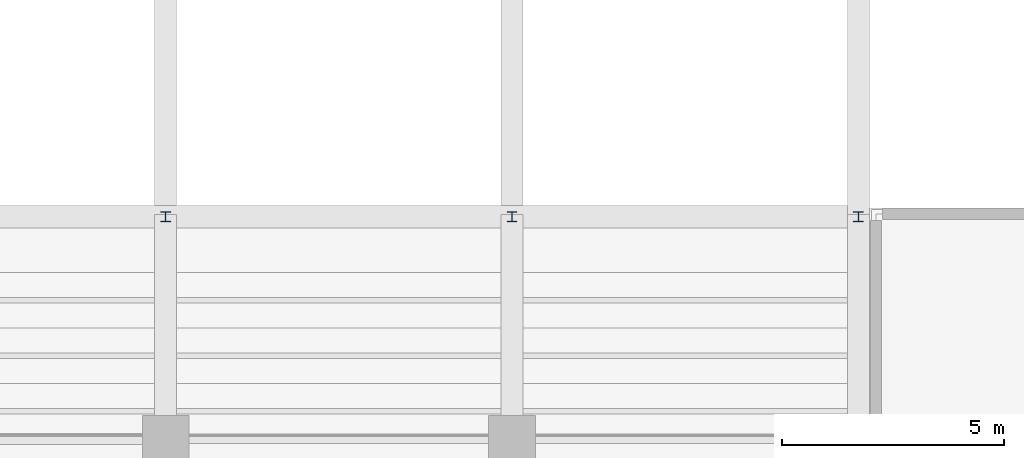
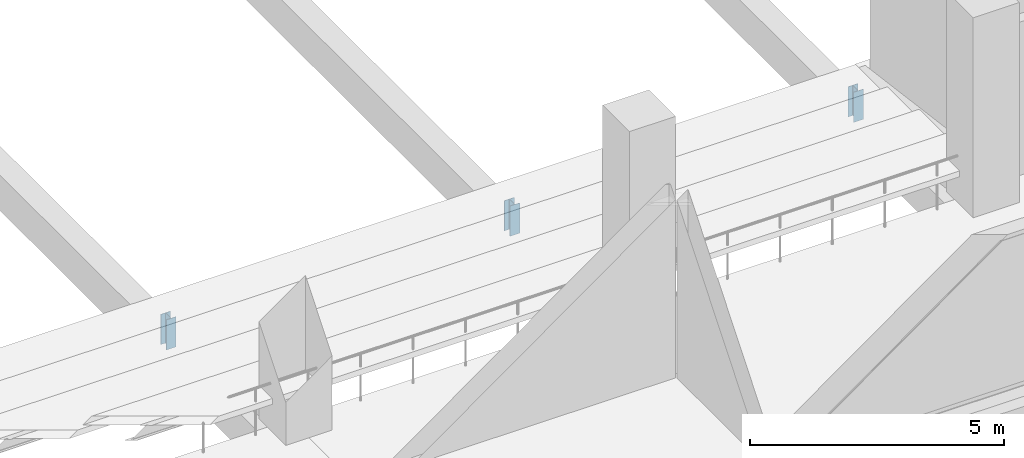
# One storey, part 62 of 102: 3 members.
"""IFC4 building model written with IfcOpenShell, lengths in metres."""

from ifc_helpers import new_model, si_unit, derived_unit, direction, frame, origin, origin_2d, place, context, subcontext, project, spatial, i_section, extrude, material, material_profile, profile_set, type_object, element, save


model = new_model("IFC4")

# Units and contexts
model_context = context("Model", 3, precision=1e-05, world=origin(), true_north=direction((0.0, 1.0)))
body_context = subcontext(model_context, "Body", "Model", "MODEL_VIEW")
ifc_project = project(units=[si_unit("LENGTHUNIT", "METRE"), si_unit("AREAUNIT", "SQUARE_METRE"), si_unit("VOLUMEUNIT", "CUBIC_METRE"), si_unit("PLANEANGLEUNIT", "RADIAN"), si_unit("MASSUNIT", "GRAM", prefix="KILO"), derived_unit("THERMALTRANSMITTANCEUNIT", [(si_unit("POWERUNIT", "WATT"), 1), (si_unit("LENGTHUNIT", "METRE"), -2), (si_unit("THERMODYNAMICTEMPERATUREUNIT", "KELVIN"), -1)])], contexts=[model_context])

# Site, building, storey
site_placement = place(None, origin())
site = spatial("IfcSite", under=ifc_project, at=site_placement, CompositionType="ELEMENT")
building_placement = place(site_placement, origin())
building = spatial("IfcBuilding", under=site, at=building_placement, Name="Nallur Shell Playhouse", CompositionType="ELEMENT")
storey_placement = place(building_placement, frame((0.0, 0.0, 15.0)))
storey = spatial("IfcBuildingStorey", under=building, at=storey_placement, Name="L04", CompositionType="ELEMENT", Elevation=15.0)

# Members
ifc_material = material(Name="Steel E350", Category="steel")
ifc_material_profile = material_profile(ifc_material, i_section(OverallWidth=0.22509765625, OverallDepth=0.22509765625, WebThickness=0.008544921875, FlangeThickness=0.009033203125, FilletRadius=0.010009765625, at=origin_2d()), Name="ISHB 225")
ifc_profile_set = profile_set([ifc_material_profile], Name="Steel E350")
member_type = type_object("IfcMemberType", Name="MB-TR-POST", PredefinedType="POST", material=ifc_profile_set)
for number, where, z_axis, x_axis, name in (
    (1, (87.39990234375, 21.0, -1.139892578125), (0.0, 0.0, 1.0), (1.0, 0.0, 0.0), "Auditorium raker front post UPPER 2"),
    (2, (95.199951171875, 21.0, -1.139892578125), (0.0, 0.0, 1.0), (1.0, 0.0, 0.0), "Auditorium raker front post UPPER 3"),
    (3, (103.0, 21.0, -1.139892578125), (0.0, 0.0, 1.0), (1.0, 0.0, 0.0), "Auditorium raker front post UPPER 4"),
):
    element("IfcMember", number, at=place(storey_placement, frame(where, z_axis=z_axis, x_axis=x_axis)), inside=storey, type_object=member_type, Name=name, PredefinedType="POST", context=body_context, shape_type="SweptSolid", body=[
        extrude(i_section(OverallWidth=0.22509765625, OverallDepth=0.22509765625, WebThickness=0.008544921875, FlangeThickness=0.009033203125, FilletRadius=0.010009765625, at=origin_2d()), origin(), (0.0, 0.0, 1.0), 0.724853515625),
    ])

save(model, "model.ifc")
